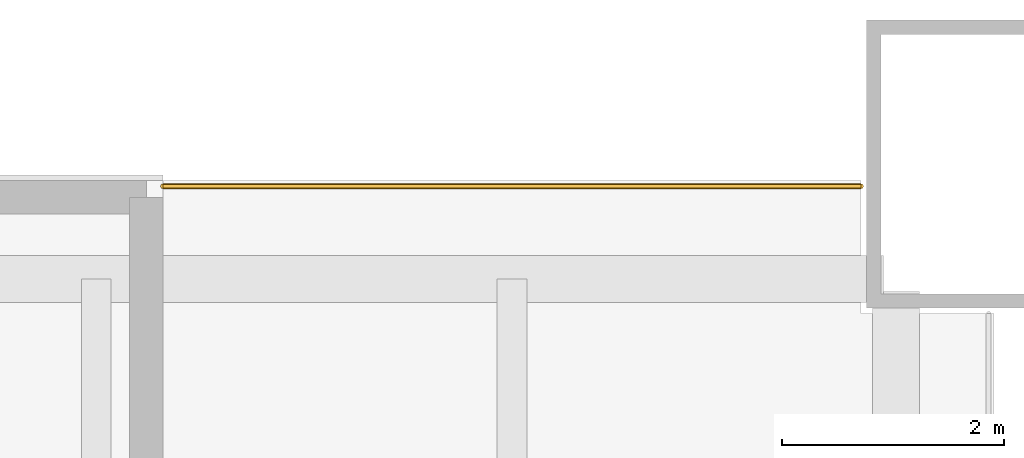
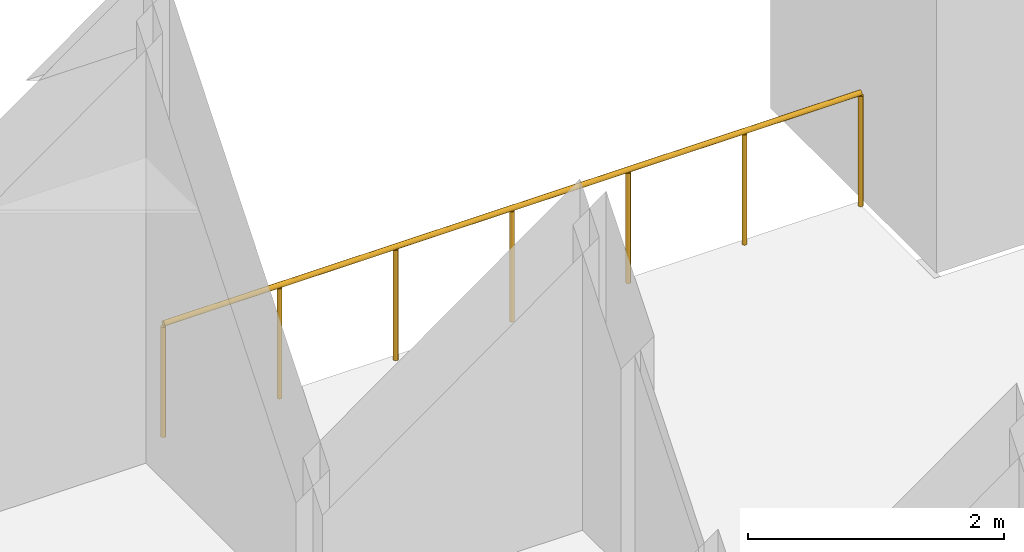
# One storey, part 7 of 7: 1 railing.
"""IFC4 building model written with IfcOpenShell, lengths in metres."""

import ifcopenshell
import ifcopenshell.guid

model = None  # the IFC model being written
_history = None  # IfcOwnerHistory: only IFC2X3 demands one
_inside = {}  # id of a spatial element -> (the spatial element, [elements in it])
_under = {}  # id of a project, library or spatial element -> (it, [spatial elements below it])
_declared = {}  # id of a project -> (the project, [libraries it declares])
_typed = {}  # id of a type object -> (the type object, [elements of that type])
_made_of = {}  # id of a material, layer set ... -> (it, [elements and type objects made of it])


def new_model(schema):
    """Start an empty IFC model of exactly this schema.

    Asked for "IFC4X3", IfcOpenShell would pick the latest addendum, in which some entities
    have other attributes; the version numbers below select the first issue.
    IFC2X3 requires an IfcOwnerHistory on every rooted entity: one is made here for all.
    """
    global model, _history
    if schema == "IFC4X3":
        model = ifcopenshell.file(schema_version=(4, 3, 0, 0))
    else:
        model = ifcopenshell.file(schema=schema)
    _inside.clear()
    _under.clear()
    _declared.clear()
    _typed.clear()
    _made_of.clear()
    _history = None
    if model.schema == "IFC2X3":
        org = make("IfcOrganization", Name="unknown")
        user = make(
            "IfcPersonAndOrganization",
            ThePerson=make("IfcPerson", FamilyName="unknown"),
            TheOrganization=org,
        )
        app = make(
            "IfcApplication",
            ApplicationDeveloper=org,
            Version="unknown",
            ApplicationFullName="unknown",
            ApplicationIdentifier="unknown",
        )
        _history = make(
            "IfcOwnerHistory",
            OwningUser=user,
            OwningApplication=app,
            ChangeAction="ADDED",
            CreationDate=0,
        )
    return model


def make(cls, **values):
    """One entity of the class cls with the attributes given. An attribute that is None is left unset."""
    return model.create_entity(
        cls, **{name: value for name, value in values.items() if value is not None}
    )


def rooted(cls, **values):
    """An entity with a GlobalId (a new one), such as an element, a storey or a relation."""
    return make(cls, GlobalId=ifcopenshell.guid.new(), OwnerHistory=_history, **values)


def si_unit(unit_type, name, prefix=None):
    """IfcSIUnit, for example si_unit("LENGTHUNIT", "METRE", prefix="MILLI")."""
    return make("IfcSIUnit", UnitType=unit_type, Prefix=prefix, Name=name)


def assignment(units):
    """IfcUnitAssignment: the units of a project."""
    return None if units is None else make("IfcUnitAssignment", Units=units)


def point(xyz):
    """IfcCartesianPoint."""
    return None if xyz is None else make("IfcCartesianPoint", Coordinates=xyz)


def direction(xyz):
    """IfcDirection."""
    return None if xyz is None else make("IfcDirection", DirectionRatios=xyz)


def frame(location, z_axis=None, x_axis=None):
    """IfcAxis2Placement3D, a coordinate frame: its origin and axes. An axis left out is left unset."""
    return make(
        "IfcAxis2Placement3D",
        Location=point(location),
        Axis=direction(z_axis),
        RefDirection=direction(x_axis),
    )


def frame_2d(location, x_axis=None):
    """IfcAxis2Placement2D, a coordinate frame in the plane: its origin and x axis."""
    return make(
        "IfcAxis2Placement2D", Location=point(location), RefDirection=direction(x_axis)
    )


def origin():
    """The frame at (0, 0, 0) with its axes left unset."""
    return frame((0.0, 0.0, 0.0))


def origin_2d():
    """The frame at (0, 0) in the plane with its x axis left unset."""
    return frame_2d((0.0, 0.0))


def place(relative_to, where):
    """IfcLocalPlacement: puts the frame where relative to a parent placement (None: the world)."""
    return make(
        "IfcLocalPlacement", PlacementRelTo=relative_to, RelativePlacement=where
    )


def context(
    kind, dimensions, precision=None, world=None, true_north=None, identifier=None
):
    """IfcGeometricRepresentationContext, for example the 3D "Model" context."""
    return make(
        "IfcGeometricRepresentationContext",
        ContextIdentifier=identifier,
        ContextType=kind,
        CoordinateSpaceDimension=dimensions,
        Precision=precision,
        WorldCoordinateSystem=world,
        TrueNorth=true_north,
    )


def subcontext(parent, identifier, kind, view, scale=None):
    """IfcGeometricRepresentationSubContext, for example "Body" below "Model"."""
    return make(
        "IfcGeometricRepresentationSubContext",
        ContextIdentifier=identifier,
        ContextType=kind,
        ParentContext=parent,
        TargetScale=scale,
        TargetView=view,
    )


def project(units=None, contexts=None):
    """IfcProject with its units and contexts."""
    return rooted(
        "IfcProject",
        Name="project",
        RepresentationContexts=contexts,
        UnitsInContext=assignment(units),
    )


def spatial(cls, under=None, at=None, **own):
    """A site, building, storey or space (cls), placed at a placement, below another one or the project."""
    s = rooted(cls, ObjectPlacement=at, **own)
    if under is not None:
        _under.setdefault(under.id(), (under, []))[1].append(s)
    return s


def profile(cls, at=None, kind="AREA", **sizes):
    """A parametric profile (cls). Its sizes go by their IFC names, for example OverallWidth=200.0."""
    return make(cls, ProfileType=kind, Position=at, **sizes)


def circle(**sizes):
    """IfcCircleProfileDef."""
    return profile("IfcCircleProfileDef", **sizes)


def extrude(swept, where, along, depth):
    """IfcExtrudedAreaSolid: the profile swept, set in the frame where, extruded along a direction by depth."""
    return make(
        "IfcExtrudedAreaSolid",
        SweptArea=swept,
        Position=where,
        ExtrudedDirection=direction(along),
        Depth=depth,
    )


def shape(context_of_items, identifier, shape_type, items):
    """IfcShapeRepresentation: the items that make up one representation, for example the "Body"."""
    return make(
        "IfcShapeRepresentation",
        ContextOfItems=context_of_items,
        RepresentationIdentifier=identifier,
        RepresentationType=shape_type,
        Items=items,
    )


def material(Name=None, Category=None):
    """IfcMaterial."""
    return make("IfcMaterial", Name=Name, Category=Category)


def made_of(thing, what):
    """Note that an element or type object is made of a material, layer set ...; save() writes the relation."""
    if what is not None:
        _made_of.setdefault(what.id(), (what, []))[1].append(thing)
    return thing


def type_object(cls, material=None, **own):
    """A type object (cls), such as IfcWallType, which elements share."""
    return made_of(rooted(cls, **own), material)


def element(
    cls,
    number,
    at=None,
    inside=None,
    cuts=None,
    type_object=None,
    material=None,
    context=None,
    identifier="Body",
    shape_type=None,
    held_by="IfcProductDefinitionShape",
    body=None,
    shapes=None,
    **own,
):
    """One element of the class cls, such as IfcWall. Its Tag is "e" and its number.

    at: its placement. inside: the storey or other place that contains it. cuts: it is an
    opening in that element (IfcRelVoidsElement). A single representation is given by context,
    identifier, shape_type and body (its items); several are given by shapes. held_by: the class
    of the entity that holds the representations. save() writes the other relations.
    """
    e = rooted(cls, Tag="e%d" % number, ObjectPlacement=at, **own)
    if body is not None:
        shapes = [shape(context, identifier, shape_type, body)]
    if shapes is not None:
        e.Representation = make(held_by, Representations=shapes)
    if inside is not None:
        _inside.setdefault(inside.id(), (inside, []))[1].append(e)
    if cuts is not None:
        rooted(
            "IfcRelVoidsElement", RelatingBuildingElement=cuts, RelatedOpeningElement=e
        )
    if type_object is not None:
        _typed.setdefault(type_object.id(), (type_object, []))[1].append(e)
    return made_of(e, material)


def aggregate(whole, parts):
    """IfcRelAggregates: a whole, such as a stair, and the parts it consists of."""
    return rooted("IfcRelAggregates", RelatingObject=whole, RelatedObjects=parts)


def save(model, path):
    """Write the relations noted so far, then the file.

    IfcRelAggregates (storeys below a building ...), IfcRelContainedInSpatialStructure (elements
    in a storey), IfcRelDefinesByType, IfcRelAssociatesMaterial and IfcRelDeclares: one each for
    every whole, place, type object, material and project.
    """
    for whole, parts in _under.values():
        aggregate(whole, parts)
    for where, things in _inside.values():
        rooted(
            "IfcRelContainedInSpatialStructure",
            RelatedElements=things,
            RelatingStructure=where,
        )
    for kind, things in _typed.values():
        rooted("IfcRelDefinesByType", RelatedObjects=things, RelatingType=kind)
    for what, things in _made_of.values():
        rooted("IfcRelAssociatesMaterial", RelatedObjects=things, RelatingMaterial=what)
    for by, libraries in _declared.values():
        rooted("IfcRelDeclares", RelatingContext=by, RelatedDefinitions=libraries)
    model.write(path)


model = new_model("IFC4")

# Units and contexts
model_context = context("Model", 3, precision=1e-05, world=origin(), true_north=direction((0.0, 1.0)))
body_context = subcontext(model_context, "Body", "Model", "MODEL_VIEW")
ifc_project = project(units=[si_unit("LENGTHUNIT", "METRE"), si_unit("AREAUNIT", "SQUARE_METRE"), si_unit("VOLUMEUNIT", "CUBIC_METRE"), si_unit("PLANEANGLEUNIT", "RADIAN"), si_unit("MASSUNIT", "GRAM", prefix="KILO")], contexts=[model_context])

# Site, building, storey
site_placement = place(None, origin())
site = spatial("IfcSite", under=ifc_project, at=site_placement, CompositionType="ELEMENT")
building_placement = place(site_placement, origin())
building = spatial("IfcBuilding", under=site, at=building_placement, Name="Tarangal Relay Tower", CompositionType="ELEMENT")
storey_placement = place(building_placement, frame((0.0, 0.0, 158.39990234375)))
storey = spatial("IfcBuildingStorey", under=building, at=storey_placement, Name="L32", CompositionType="ELEMENT", Elevation=158.39990234375)

# Railing
ifc_material = material(Name="Black steel guard with glass infill", Category="steel")
railing_type = type_object("IfcRailingType", Name="Terrace guard 1100", PredefinedType="GUARDRAIL", material=ifc_material)
railing_placement = place(storey_placement, frame((16.35009765625, 23.800048828125, 0.0)))
element("IfcRailing", 1, at=railing_placement, inside=storey, type_object=railing_type, Name="Terrace guard GR2 NE L32", PredefinedType="GUARDRAIL", context=body_context, shape_type="SweptSolid", body=[
    extrude(circle(Radius=0.02392578125, at=origin_2d()), frame((0.0, 0.0, 1.076171875), z_axis=(1.0, 0.0, 0.0), x_axis=(0.0, 1.0, 0.0)), (0.0, 0.0, 1.0), 6.2998046875),
    extrude(circle(Radius=0.02099609375, at=origin_2d()), origin(), (0.0, 0.0, 1.0), 1.052001953125),
    extrude(circle(Radius=0.02099609375, at=origin_2d()), frame((1.050048828125, 0.0, 0.0)), (0.0, 0.0, 1.0), 1.052001953125),
    extrude(circle(Radius=0.02099609375, at=origin_2d()), frame((2.099853515625, 0.0, 0.0)), (0.0, 0.0, 1.0), 1.052001953125),
    extrude(circle(Radius=0.02099609375, at=origin_2d()), frame((3.14990234375, 0.0, 0.0)), (0.0, 0.0, 1.0), 1.052001953125),
    extrude(circle(Radius=0.02099609375, at=origin_2d()), frame((4.199951171875, 0.0, 0.0)), (0.0, 0.0, 1.0), 1.052001953125),
    extrude(circle(Radius=0.02099609375, at=origin_2d()), frame((5.249755859375, 0.0, 0.0)), (0.0, 0.0, 1.0), 1.052001953125),
    extrude(circle(Radius=0.02099609375, at=origin_2d()), frame((6.2998046875, 0.0, 0.0)), (0.0, 0.0, 1.0), 1.052001953125),
])

save(model, "model.ifc")
